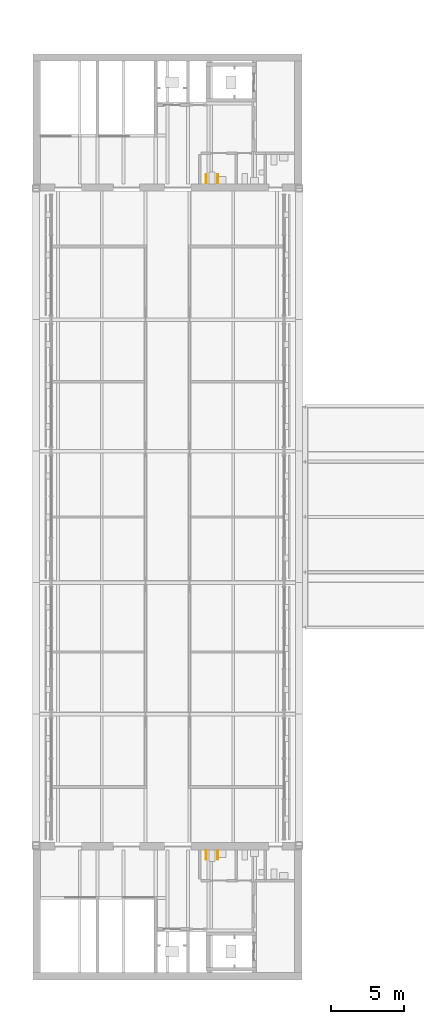
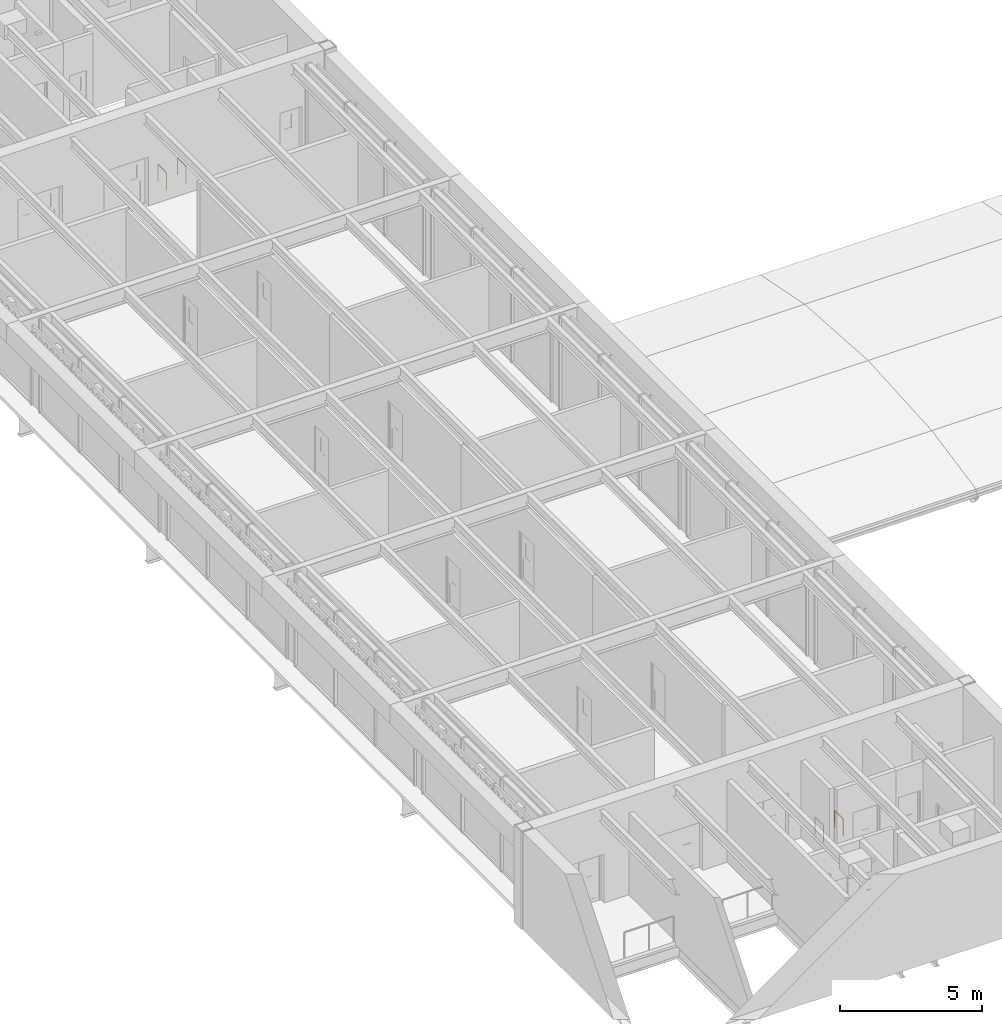
# One storey, part 41 of 43: 4 railings.
"""IFC4 building model written with IfcOpenShell, lengths in metres."""

from ifc_helpers import new_model, si_unit, direction, frame, origin, origin_2d, place, context, subcontext, project, spatial, circle, extrude, material, type_object, element, save


model = new_model("IFC4")

# Units and contexts
model_context = context("Model", 3, precision=1e-05, world=origin(), true_north=direction((0.0, 1.0)))
body_context = subcontext(model_context, "Body", "Model", "MODEL_VIEW")
ifc_project = project(units=[si_unit("LENGTHUNIT", "METRE"), si_unit("AREAUNIT", "SQUARE_METRE"), si_unit("VOLUMEUNIT", "CUBIC_METRE"), si_unit("PLANEANGLEUNIT", "RADIAN"), si_unit("MASSUNIT", "GRAM", prefix="KILO")], contexts=[model_context])

# Site, building, storey
site_placement = place(None, origin())
site = spatial("IfcSite", under=ifc_project, at=site_placement, CompositionType="ELEMENT")
building_placement = place(site_placement, origin())
building = spatial("IfcBuilding", under=site, at=building_placement, Name="Baradari Gate Terminus", CompositionType="ELEMENT")
storey_placement = place(building_placement, frame((0.0, 0.0, 20.10009765625)))
storey = spatial("IfcBuildingStorey", under=building, at=storey_placement, Name="L04", CompositionType="ELEMENT", Elevation=20.10009765625)

# Railings
ifc_material = material(Name="Stainless steel 1.4301", Category="steel")
railing_type = type_object("IfcRailingType", Name="Grab rail GB-1 750", PredefinedType="HANDRAIL", material=ifc_material)
for number, where, name in (
    (1, (83.64990234375, 81.35009765625, 0.0), "Grab rail Accessible WC"),
    (2, (84.449951171875, 81.35009765625, 0.0), "Grab rail Accessible WC"),
):
    element("IfcRailing", number, at=place(storey_placement, frame(where)), inside=storey, type_object=railing_type, Name=name, PredefinedType="HANDRAIL", context=body_context, shape_type="SweptSolid", body=[
        extrude(circle(Radius=0.02392578125, at=origin_2d()), frame((0.0, 0.0, 0.72607421875), z_axis=(0.0, 1.0, 0.0), x_axis=(-1.0, 0.0, 0.0)), (0.0, 0.0, 1.0), 0.599853515625),
        extrude(circle(Radius=0.02099609375, at=origin_2d()), origin(), (0.0, 0.0, 1.0), 0.701904296875),
        extrude(circle(Radius=0.02099609375, at=origin_2d()), frame((0.0, 0.599853515625, 0.0)), (0.0, 0.0, 1.0), 0.701904296875),
    ])
for number, where, name in (
    (3, (83.64990234375, 35.64990234375, 0.0), "Grab rail Accessible WC"),
    (4, (84.449951171875, 35.64990234375, 0.0), "Grab rail Accessible WC"),
):
    element("IfcRailing", number, at=place(storey_placement, frame(where)), inside=storey, type_object=railing_type, Name=name, PredefinedType="HANDRAIL", context=body_context, shape_type="SweptSolid", body=[
        extrude(circle(Radius=0.02392578125, at=origin_2d()), frame((0.0, 0.0, 0.72607421875), z_axis=(0.0, -1.0, 0.0), x_axis=(1.0, 0.0, 0.0)), (0.0, 0.0, 1.0), 0.599853515625),
        extrude(circle(Radius=0.02099609375, at=origin_2d()), origin(), (0.0, 0.0, 1.0), 0.701904296875),
        extrude(circle(Radius=0.02099609375, at=origin_2d()), frame((0.0, -0.599853515625, 0.0)), (0.0, 0.0, 1.0), 0.701904296875),
    ])

save(model, "model.ifc")
